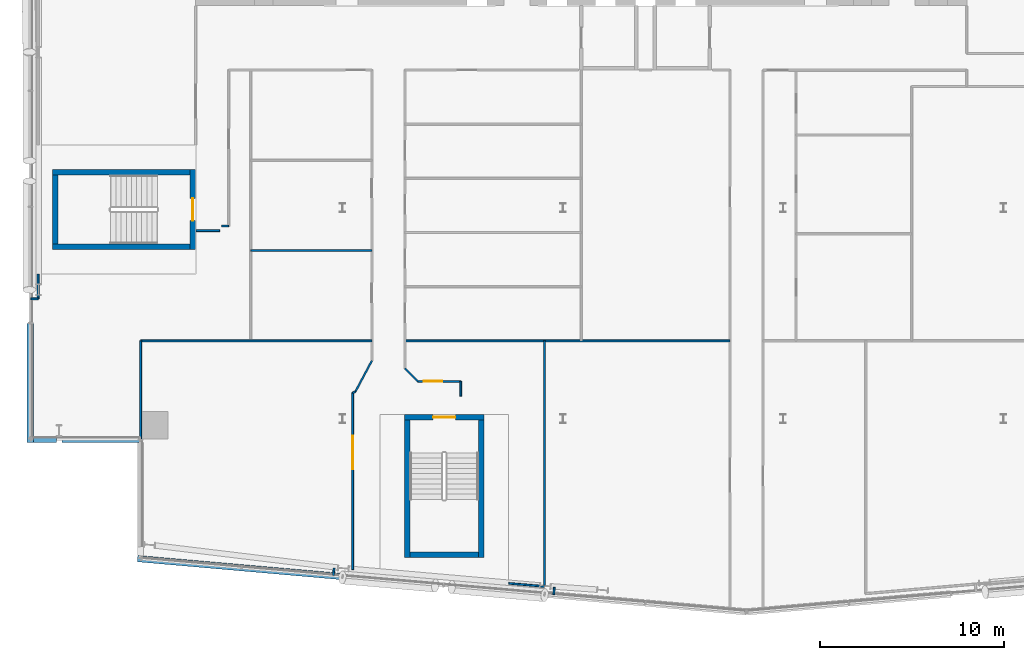
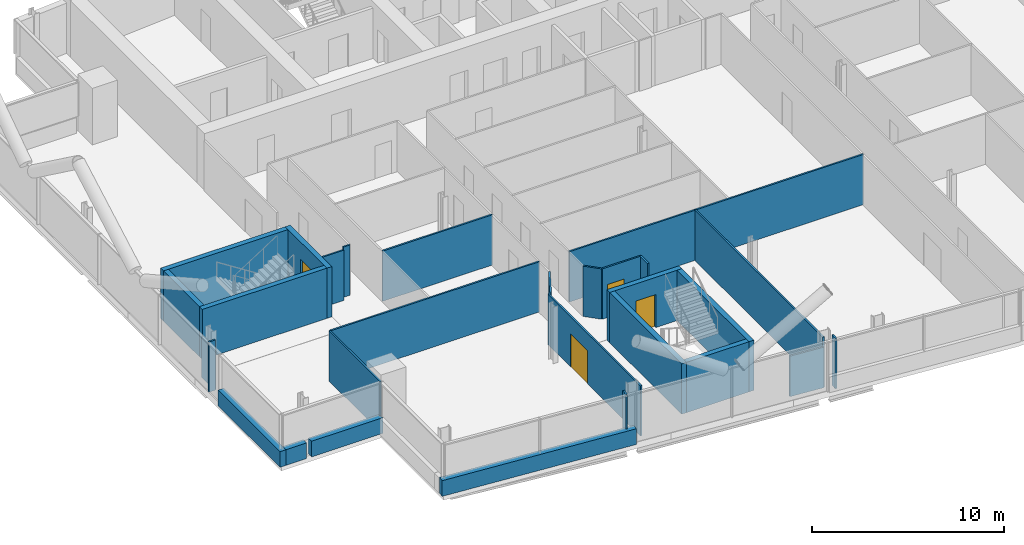
# One storey, part 14 of 26: 30 walls, 4 doors, 4 openings.
"""IFC4 building model written with IfcOpenShell, lengths in metres."""

import ifcopenshell
import ifcopenshell.guid

model = None  # the IFC model being written
_history = None  # IfcOwnerHistory: only IFC2X3 demands one
_inside = {}  # id of a spatial element -> (the spatial element, [elements in it])
_under = {}  # id of a project, library or spatial element -> (it, [spatial elements below it])
_declared = {}  # id of a project -> (the project, [libraries it declares])
_typed = {}  # id of a type object -> (the type object, [elements of that type])
_made_of = {}  # id of a material, layer set ... -> (it, [elements and type objects made of it])


def new_model(schema):
    """Start an empty IFC model of exactly this schema.

    Asked for "IFC4X3", IfcOpenShell would pick the latest addendum, in which some entities
    have other attributes; the version numbers below select the first issue.
    IFC2X3 requires an IfcOwnerHistory on every rooted entity: one is made here for all.
    """
    global model, _history
    if schema == "IFC4X3":
        model = ifcopenshell.file(schema_version=(4, 3, 0, 0))
    else:
        model = ifcopenshell.file(schema=schema)
    _inside.clear()
    _under.clear()
    _declared.clear()
    _typed.clear()
    _made_of.clear()
    _history = None
    if model.schema == "IFC2X3":
        org = make("IfcOrganization", Name="unknown")
        user = make(
            "IfcPersonAndOrganization",
            ThePerson=make("IfcPerson", FamilyName="unknown"),
            TheOrganization=org,
        )
        app = make(
            "IfcApplication",
            ApplicationDeveloper=org,
            Version="unknown",
            ApplicationFullName="unknown",
            ApplicationIdentifier="unknown",
        )
        _history = make(
            "IfcOwnerHistory",
            OwningUser=user,
            OwningApplication=app,
            ChangeAction="ADDED",
            CreationDate=0,
        )
    return model


def make(cls, **values):
    """One entity of the class cls with the attributes given. An attribute that is None is left unset."""
    return model.create_entity(
        cls, **{name: value for name, value in values.items() if value is not None}
    )


def rooted(cls, **values):
    """An entity with a GlobalId (a new one), such as an element, a storey or a relation."""
    return make(cls, GlobalId=ifcopenshell.guid.new(), OwnerHistory=_history, **values)


def si_unit(unit_type, name, prefix=None):
    """IfcSIUnit, for example si_unit("LENGTHUNIT", "METRE", prefix="MILLI")."""
    return make("IfcSIUnit", UnitType=unit_type, Prefix=prefix, Name=name)


def assignment(units):
    """IfcUnitAssignment: the units of a project."""
    return None if units is None else make("IfcUnitAssignment", Units=units)


def point(xyz):
    """IfcCartesianPoint."""
    return None if xyz is None else make("IfcCartesianPoint", Coordinates=xyz)


def direction(xyz):
    """IfcDirection."""
    return None if xyz is None else make("IfcDirection", DirectionRatios=xyz)


def frame(location, z_axis=None, x_axis=None):
    """IfcAxis2Placement3D, a coordinate frame: its origin and axes. An axis left out is left unset."""
    return make(
        "IfcAxis2Placement3D",
        Location=point(location),
        Axis=direction(z_axis),
        RefDirection=direction(x_axis),
    )


def frame_2d(location, x_axis=None):
    """IfcAxis2Placement2D, a coordinate frame in the plane: its origin and x axis."""
    return make(
        "IfcAxis2Placement2D", Location=point(location), RefDirection=direction(x_axis)
    )


def origin():
    """The frame at (0, 0, 0) with its axes left unset."""
    return frame((0.0, 0.0, 0.0))


def place(relative_to, where):
    """IfcLocalPlacement: puts the frame where relative to a parent placement (None: the world)."""
    return make(
        "IfcLocalPlacement", PlacementRelTo=relative_to, RelativePlacement=where
    )


def context(
    kind, dimensions, precision=None, world=None, true_north=None, identifier=None
):
    """IfcGeometricRepresentationContext, for example the 3D "Model" context."""
    return make(
        "IfcGeometricRepresentationContext",
        ContextIdentifier=identifier,
        ContextType=kind,
        CoordinateSpaceDimension=dimensions,
        Precision=precision,
        WorldCoordinateSystem=world,
        TrueNorth=true_north,
    )


def subcontext(parent, identifier, kind, view, scale=None):
    """IfcGeometricRepresentationSubContext, for example "Body" below "Model"."""
    return make(
        "IfcGeometricRepresentationSubContext",
        ContextIdentifier=identifier,
        ContextType=kind,
        ParentContext=parent,
        TargetScale=scale,
        TargetView=view,
    )


def project(units=None, contexts=None):
    """IfcProject with its units and contexts."""
    return rooted(
        "IfcProject",
        Name="project",
        RepresentationContexts=contexts,
        UnitsInContext=assignment(units),
    )


def spatial(cls, under=None, at=None, **own):
    """A site, building, storey or space (cls), placed at a placement, below another one or the project."""
    s = rooted(cls, ObjectPlacement=at, **own)
    if under is not None:
        _under.setdefault(under.id(), (under, []))[1].append(s)
    return s


def profile(cls, at=None, kind="AREA", **sizes):
    """A parametric profile (cls). Its sizes go by their IFC names, for example OverallWidth=200.0."""
    return make(cls, ProfileType=kind, Position=at, **sizes)


def rectangle(**sizes):
    """IfcRectangleProfileDef."""
    return profile("IfcRectangleProfileDef", **sizes)


def extrude(swept, where, along, depth):
    """IfcExtrudedAreaSolid: the profile swept, set in the frame where, extruded along a direction by depth."""
    return make(
        "IfcExtrudedAreaSolid",
        SweptArea=swept,
        Position=where,
        ExtrudedDirection=direction(along),
        Depth=depth,
    )


def shape(context_of_items, identifier, shape_type, items):
    """IfcShapeRepresentation: the items that make up one representation, for example the "Body"."""
    return make(
        "IfcShapeRepresentation",
        ContextOfItems=context_of_items,
        RepresentationIdentifier=identifier,
        RepresentationType=shape_type,
        Items=items,
    )


def material(Name=None, Category=None):
    """IfcMaterial."""
    return make("IfcMaterial", Name=Name, Category=Category)


def layer(
    of_material, thickness, ventilated=None, Name=None, Category=None, Priority=None
):
    """IfcMaterialLayer: one layer of a wall or slab, of a material (None: an air gap)."""
    return make(
        "IfcMaterialLayer",
        Material=of_material,
        LayerThickness=thickness,
        IsVentilated=ventilated,
        Name=Name,
        Category=Category,
        Priority=Priority,
    )


def layer_set(layers, Name=None):
    """IfcMaterialLayerSet."""
    return make("IfcMaterialLayerSet", MaterialLayers=layers, LayerSetName=Name)


def made_of(thing, what):
    """Note that an element or type object is made of a material, layer set ...; save() writes the relation."""
    if what is not None:
        _made_of.setdefault(what.id(), (what, []))[1].append(thing)
    return thing


def type_object(cls, material=None, **own):
    """A type object (cls), such as IfcWallType, which elements share."""
    return made_of(rooted(cls, **own), material)


def element(
    cls,
    number,
    at=None,
    inside=None,
    cuts=None,
    type_object=None,
    material=None,
    context=None,
    identifier="Body",
    shape_type=None,
    held_by="IfcProductDefinitionShape",
    body=None,
    shapes=None,
    **own,
):
    """One element of the class cls, such as IfcWall. Its Tag is "e" and its number.

    at: its placement. inside: the storey or other place that contains it. cuts: it is an
    opening in that element (IfcRelVoidsElement). A single representation is given by context,
    identifier, shape_type and body (its items); several are given by shapes. held_by: the class
    of the entity that holds the representations. save() writes the other relations.
    """
    e = rooted(cls, Tag="e%d" % number, ObjectPlacement=at, **own)
    if body is not None:
        shapes = [shape(context, identifier, shape_type, body)]
    if shapes is not None:
        e.Representation = make(held_by, Representations=shapes)
    if inside is not None:
        _inside.setdefault(inside.id(), (inside, []))[1].append(e)
    if cuts is not None:
        rooted(
            "IfcRelVoidsElement", RelatingBuildingElement=cuts, RelatedOpeningElement=e
        )
    if type_object is not None:
        _typed.setdefault(type_object.id(), (type_object, []))[1].append(e)
    return made_of(e, material)


def fill(opening, filler):
    """IfcRelFillsElement: the door or window that sits in an opening."""
    return rooted(
        "IfcRelFillsElement",
        RelatingOpeningElement=opening,
        RelatedBuildingElement=filler,
    )


def aggregate(whole, parts):
    """IfcRelAggregates: a whole, such as a stair, and the parts it consists of."""
    return rooted("IfcRelAggregates", RelatingObject=whole, RelatedObjects=parts)


def save(model, path):
    """Write the relations noted so far, then the file.

    IfcRelAggregates (storeys below a building ...), IfcRelContainedInSpatialStructure (elements
    in a storey), IfcRelDefinesByType, IfcRelAssociatesMaterial and IfcRelDeclares: one each for
    every whole, place, type object, material and project.
    """
    for whole, parts in _under.values():
        aggregate(whole, parts)
    for where, things in _inside.values():
        rooted(
            "IfcRelContainedInSpatialStructure",
            RelatedElements=things,
            RelatingStructure=where,
        )
    for kind, things in _typed.values():
        rooted("IfcRelDefinesByType", RelatedObjects=things, RelatingType=kind)
    for what, things in _made_of.values():
        rooted("IfcRelAssociatesMaterial", RelatedObjects=things, RelatingMaterial=what)
    for by, libraries in _declared.values():
        rooted("IfcRelDeclares", RelatingContext=by, RelatedDefinitions=libraries)
    model.write(path)


model = new_model("IFC4")

# Units and contexts
model_context = context("Model", 3, precision=1e-05, world=origin(), true_north=direction((0.0, 1.0)))
body_context = subcontext(model_context, "Body", "Model", "MODEL_VIEW")
ifc_project = project(units=[si_unit("LENGTHUNIT", "METRE"), si_unit("AREAUNIT", "SQUARE_METRE"), si_unit("VOLUMEUNIT", "CUBIC_METRE"), si_unit("PLANEANGLEUNIT", "RADIAN"), si_unit("MASSUNIT", "GRAM", prefix="KILO")], contexts=[model_context])

# Site, building, storey
site_placement = place(None, origin())
site = spatial("IfcSite", under=ifc_project, at=site_placement, CompositionType="ELEMENT")
building_placement = place(site_placement, origin())
building = spatial("IfcBuilding", under=site, at=building_placement, Name="Wharfspan Tower", CompositionType="ELEMENT")
storey_placement = place(building_placement, frame((0.0, 0.0, 166.300049)))
storey = spatial("IfcBuildingStorey", under=building, at=storey_placement, Name="L40", CompositionType="ELEMENT", Elevation=166.300049)

# Walls
ifc_material_1 = material(Name="Gypsum board on steel studs", Category="steel")
ifc_layer_1 = layer(ifc_material_1, 0.100098)
ifc_layer_set_1 = layer_set([ifc_layer_1], Name="Gypsum board on steel studs")
wall_type_1 = type_object("IfcWallType", Name="Compartment wall 100 EI 60", PredefinedType="PARTITIONING", material=ifc_layer_set_1)
wall_1_placement = place(storey_placement, frame((13.0, 15.745117, 0.0), z_axis=(0.0, 0.0, 1.0), x_axis=(1.0, 0.0, 0.0)))
element("IfcWall", 1, at=wall_1_placement, inside=storey, type_object=wall_type_1, Name="Partition L40.w005", PredefinedType="PARTITIONING", context=body_context, shape_type="SweptSolid", body=[
    extrude(rectangle(XDim=12.600098, YDim=0.100098, at=frame_2d((6.300049, 0.0))), origin(), (0.0, 0.0, 1.0), 3.199951),
])
wall_2_placement = place(storey_placement, frame((16.02002, 21.75, 0.0), z_axis=(0.0, 0.0, 1.0), x_axis=(1.0, 0.0, 0.0)))
element("IfcWall", 2, at=wall_2_placement, inside=storey, type_object=wall_type_1, Name="Partition L40.w007", PredefinedType="PARTITIONING", context=body_context, shape_type="SweptSolid", body=[
    extrude(rectangle(XDim=1.280029, YDim=0.100098, at=frame_2d((0.640137, 0.0))), origin(), (0.0, 0.0, 1.0), 3.199951),
])
wall_3_placement = place(storey_placement, frame((17.419922, 22.0, 0.0), z_axis=(0.0, 0.0, 1.0), x_axis=(1.0, 0.0, 0.0)))
element("IfcWall", 3, at=wall_3_placement, inside=storey, type_object=wall_type_1, Name="Partition L40.w008", PredefinedType="PARTITIONING", context=body_context, shape_type="SweptSolid", body=[
    extrude(rectangle(XDim=0.380127, YDim=0.100098, at=frame_2d((0.189941, 0.0))), origin(), (0.0, 0.0, 1.0), 3.199951),
])
wall_4_placement = place(storey_placement, frame((19.0, 20.665039, 0.0), z_axis=(0.0, 0.0, 1.0), x_axis=(1.0, 0.0, 0.0)))
element("IfcWall", 4, at=wall_4_placement, inside=storey, type_object=wall_type_1, Name="Partition L40.w012", PredefinedType="PARTITIONING", context=body_context, shape_type="SweptSolid", body=[
    extrude(rectangle(XDim=6.600098, YDim=0.100098, at=frame_2d((3.300049, 0.0))), origin(), (0.0, 0.0, 1.0), 3.199951),
])
wall_5_placement = place(storey_placement, frame((24.550049, 12.915039, 0.0), z_axis=(0.0, 0.0, 1.0), x_axis=(0.900306, 0.435266, 0.0)))
element("IfcWall", 5, at=wall_5_placement, inside=storey, type_object=wall_type_1, Name="Partition L40.w015", PredefinedType="PARTITIONING", context=body_context, shape_type="SweptSolid", body=[
    extrude(rectangle(XDim=0.172119, YDim=0.100098, at=frame_2d((0.085938, 0.0))), origin(), (0.0, 0.0, 1.0), 3.199951),
])

# Wall, opening, door
wall_6_placement = place(storey_placement, frame((24.550049, 3.284912, 0.0), z_axis=(0.0, 0.0, 1.0), x_axis=(0.0, 1.0, 0.0)))
wall_6 = element("IfcWall", 6, at=wall_6_placement, inside=storey, type_object=wall_type_1, Name="Partition L40.w016", PredefinedType="PARTITIONING", context=body_context, shape_type="SweptSolid", body=[
    extrude(rectangle(XDim=9.630127, YDim=0.100098, at=frame_2d((4.814941, 0.0))), origin(), (0.0, 0.0, 1.0), 3.199951),
])
opening_1_placement = place(wall_6_placement, frame((5.480713, 0.0, 0.0)))
opening_1 = element("IfcOpeningElement", 7, at=opening_1_placement, cuts=wall_6, Name="Opening C3-03", PredefinedType="OPENING", context=body_context, shape_type="SweptSolid", body=[
    extrude(rectangle(XDim=1.800049, YDim=2.100098, at=frame_2d((0.899902, 1.050049))), frame((0.0, 0.060059, 0.0), z_axis=(0.0, -1.0, 0.0), x_axis=(1.0, 0.0, 0.0)), (0.0, 0.0, 1.0), 0.120117),
])
ifc_material_2 = material(Name="Fire-rated timber door leaf in steel frame", Category="steel")
door_type_1 = type_object("IfcDoorType", Name="Door 1800 FD30S Double", OperationType="DOUBLE_DOOR_SINGLE_SWING", PredefinedType="DOOR", material=ifc_material_2)
door_1_placement = place(opening_1_placement, origin())
door_1 = element("IfcDoor", 8, at=door_1_placement, inside=storey, type_object=door_type_1, Name="Door C3-03", OperationType="DOUBLE_DOOR_SINGLE_SWING", OverallHeight=2.100098, OverallWidth=1.800049, PredefinedType="DOOR", context=body_context, shape_type="SweptSolid", body=[
    extrude(rectangle(XDim=1.800049, YDim=2.100098, at=frame_2d((0.899902, 1.050049))), frame((0.0, 0.024902, 0.0), z_axis=(0.0, -1.0, 0.0), x_axis=(1.0, 0.0, 0.0)), (0.0, 0.0, 1.0), 0.050049),
])
fill(opening_1, door_1)

# Walls
wall_7_placement = place(storey_placement, frame((24.705078, 12.98999, 0.0), z_axis=(0.0, 0.0, 1.0), x_axis=(0.4702, 0.882555, 0.0)))
element("IfcWall", 9, at=wall_7_placement, inside=storey, type_object=wall_type_1, Name="Partition L40.w017", PredefinedType="PARTITIONING", context=body_context, shape_type="SweptSolid", body=[
    extrude(rectangle(XDim=1.903564, YDim=0.100098, at=frame_2d((0.95166, 0.0))), origin(), (0.0, 0.0, 1.0), 3.199951),
])
wall_8_placement = place(storey_placement, frame((27.399902, 15.745117, 0.0), z_axis=(0.0, 0.0, 1.0), x_axis=(1.0, 0.0, 0.0)))
element("IfcWall", 10, at=wall_8_placement, inside=storey, type_object=wall_type_1, Name="Partition L40.w020", PredefinedType="PARTITIONING", context=body_context, shape_type="SweptSolid", body=[
    extrude(rectangle(XDim=17.700195, YDim=0.100098, at=frame_2d((8.850098, 0.0))), origin(), (0.0, 0.0, 1.0), 3.199951),
])
wall_9_placement = place(storey_placement, frame((28.10498, 13.534912, 0.0), z_axis=(0.0, 0.0, 1.0), x_axis=(-0.707107, 0.707107, 0.0)))
element("IfcWall", 11, at=wall_9_placement, inside=storey, type_object=wall_type_1, Name="Partition L40.w026", PredefinedType="PARTITIONING", context=body_context, shape_type="SweptSolid", body=[
    extrude(rectangle(XDim=0.99707, YDim=0.100098, at=frame_2d((0.498535, 0.0))), origin(), (0.0, 0.0, 1.0), 3.199951),
])

# Wall, opening, door
wall_10_placement = place(storey_placement, frame((28.10498, 13.534912, 0.0), z_axis=(0.0, 0.0, 1.0), x_axis=(1.0, 0.0, 0.0)))
wall_10 = element("IfcWall", 12, at=wall_10_placement, inside=storey, type_object=wall_type_1, Name="Partition L40.w027", PredefinedType="PARTITIONING", context=body_context, shape_type="SweptSolid", body=[
    extrude(rectangle(XDim=2.334961, YDim=0.100098, at=frame_2d((1.16748, 0.0))), origin(), (0.0, 0.0, 1.0), 3.199951),
])
opening_2_placement = place(wall_10_placement, frame((0.314941, 0.0, 0.0)))
opening_2 = element("IfcOpeningElement", 13, at=opening_2_placement, cuts=wall_10, Name="Opening C3-04", PredefinedType="OPENING", context=body_context, shape_type="SweptSolid", body=[
    extrude(rectangle(XDim=1.0, YDim=2.100098, at=frame_2d((0.5, 1.050049))), frame((0.0, 0.060059, 0.0), z_axis=(0.0, -1.0, 0.0), x_axis=(1.0, 0.0, 0.0)), (0.0, 0.0, 1.0), 0.120117),
])
door_type_2 = type_object("IfcDoorType", Name="Door 1000 FD30S Left", OperationType="SINGLE_SWING_LEFT", PredefinedType="DOOR", material=ifc_material_2)
door_2_placement = place(opening_2_placement, origin())
door_2 = element("IfcDoor", 14, at=door_2_placement, inside=storey, type_object=door_type_2, Name="Door C3-04", OperationType="SINGLE_SWING_LEFT", OverallHeight=2.100098, OverallWidth=1.0, PredefinedType="DOOR", context=body_context, shape_type="SweptSolid", body=[
    extrude(rectangle(XDim=1.0, YDim=2.100098, at=frame_2d((0.5, 1.050049))), frame((0.0, 0.024902, 0.0), z_axis=(0.0, -1.0, 0.0), x_axis=(1.0, 0.0, 0.0)), (0.0, 0.0, 1.0), 0.050049),
])
fill(opening_2, door_2)

# Walls
wall_11_placement = place(storey_placement, frame((30.439941, 12.734375, 0.0), z_axis=(0.0, 0.0, 1.0), x_axis=(0.0, 1.0, 0.0)))
element("IfcWall", 15, at=wall_11_placement, inside=storey, type_object=wall_type_1, Name="Partition L40.w028", PredefinedType="PARTITIONING", context=body_context, shape_type="SweptSolid", body=[
    extrude(rectangle(XDim=0.800537, YDim=0.100098, at=frame_2d((0.400391, 0.0))), origin(), (0.0, 0.0, 1.0), 3.199951),
])
ifc_layer_2 = layer(ifc_material_1, 0.100098)
ifc_layer_set_2 = layer_set([ifc_layer_2], Name="Gypsum board on steel studs")
wall_type_2 = type_object("IfcWallType", Name="Partition 100", PredefinedType="PARTITIONING", material=ifc_layer_set_2)
wall_12_placement = place(storey_placement, frame((7.02002, 18.034912, 0.0), z_axis=(0.0, 0.0, 1.0), x_axis=(1.0, 0.0, 0.0)))
element("IfcWall", 16, at=wall_12_placement, inside=storey, type_object=wall_type_2, Name="Partition L40.w001", PredefinedType="PARTITIONING", context=body_context, shape_type="SweptSolid", body=[
    extrude(rectangle(XDim=0.399902, YDim=0.100098, at=frame_2d((0.199951, 0.0))), origin(), (0.0, 0.0, 1.0), 3.199951),
])
wall_13_placement = place(storey_placement, frame((7.419922, 18.034912, 0.0), z_axis=(0.0, 0.0, 1.0), x_axis=(0.0, 1.0, 0.0)))
element("IfcWall", 17, at=wall_13_placement, inside=storey, type_object=wall_type_2, Name="Partition L40.w002", PredefinedType="PARTITIONING", context=body_context, shape_type="SweptSolid", body=[
    extrude(rectangle(XDim=1.344971, YDim=0.100098, at=frame_2d((0.672363, 0.0))), origin(), (0.0, 0.0, 1.0), 2.579834),
])
wall_14_placement = place(storey_placement, frame((13.0, 10.419922, 0.0), z_axis=(0.0, 0.0, 1.0), x_axis=(0.0, 1.0, 0.0)))
element("IfcWall", 18, at=wall_14_placement, inside=storey, type_object=wall_type_2, Name="Partition L40.w004", PredefinedType="PARTITIONING", context=body_context, shape_type="SweptSolid", body=[
    extrude(rectangle(XDim=5.325195, YDim=0.100098, at=frame_2d((2.662598, 0.0))), origin(), (0.0, 0.0, 1.0), 3.199951),
])
wall_15_placement = place(storey_placement, frame((23.502197, 2.976318, 0.0), z_axis=(0.0, 0.0, 1.0), x_axis=(0.095654, 0.995419, 0.0)))
element("IfcWall", 19, at=wall_15_placement, inside=storey, type_object=wall_type_2, Name="Partition L40.w014", PredefinedType="PARTITIONING", context=body_context, shape_type="SweptSolid", body=[
    extrude(rectangle(XDim=0.395508, YDim=0.100098, at=frame_2d((0.197754, 0.0))), origin(), (0.0, 0.0, 1.0), 3.199951),
])
wall_16_placement = place(storey_placement, frame((35.0, 2.370117, 0.0), z_axis=(0.0, 0.0, 1.0), x_axis=(-0.996265, 0.086343, 0.0)))
element("IfcWall", 20, at=wall_16_placement, inside=storey, type_object=wall_type_2, Name="Partition L40.w029", PredefinedType="PARTITIONING", context=body_context, shape_type="SweptSolid", body=[
    extrude(rectangle(XDim=1.948242, YDim=0.100098, at=frame_2d((0.974121, 0.0))), origin(), (0.0, 0.0, 1.0), 2.579834),
])
wall_17_placement = place(storey_placement, frame((35.0, 2.370117, 0.0), z_axis=(0.0, 0.0, 1.0), x_axis=(0.0, 1.0, 0.0)))
element("IfcWall", 21, at=wall_17_placement, inside=storey, type_object=wall_type_2, Name="Partition L40.w030", PredefinedType="PARTITIONING", context=body_context, shape_type="SweptSolid", body=[
    extrude(rectangle(XDim=13.375, YDim=0.100098, at=frame_2d((6.6875, 0.0))), origin(), (0.0, 0.0, 1.0), 3.199951),
])
wall_18_placement = place(storey_placement, frame((35.501709, 1.926514, 0.0), z_axis=(0.0, 0.0, 1.0), x_axis=(0.083045, 0.996542, 0.0)))
element("IfcWall", 22, at=wall_18_placement, inside=storey, type_object=wall_type_2, Name="Partition L40.w031", PredefinedType="PARTITIONING", context=body_context, shape_type="SweptSolid", body=[
    extrude(rectangle(XDim=0.399902, YDim=0.100098, at=frame_2d((0.199951, 0.0))), origin(), (0.0, 0.0, 1.0), 3.199951),
])
ifc_material_3 = material(Name="Concrete C40/50", Category="concrete")
ifc_layer_3 = layer(ifc_material_3, 0.350098)
ifc_layer_set_3 = layer_set([ifc_layer_3], Name="Concrete C40/50")
wall_type_3 = type_object("IfcWallType", Name="SPANDREL EXPOSED CONCRETE 350", PredefinedType="SOLIDWALL", material=ifc_layer_set_3)
wall_19_placement = place(storey_placement, frame((12.835205, 3.884521, 0.0), z_axis=(0.0, 0.0, 1.0), x_axis=(0.996199, -0.087154, 0.0)))
element("IfcWall", 23, at=wall_19_placement, inside=storey, type_object=wall_type_3, Name="Spandrel upstand L40 S1 1", PredefinedType="SOLIDWALL", context=body_context, shape_type="SweptSolid", body=[
    extrude(rectangle(XDim=11.177002, YDim=0.350098, at=frame_2d((5.588379, 0.0))), origin(), (0.0, 0.0, 1.0), 1.0),
])
wall_20_placement = place(storey_placement, frame((6.995117, 16.689941, 0.0), z_axis=(0.0, 0.0, 1.0), x_axis=(0.0, -1.0, 0.0)))
element("IfcWall", 24, at=wall_20_placement, inside=storey, type_object=wall_type_3, Name="Spandrel upstand L40 W", PredefinedType="SOLIDWALL", context=body_context, shape_type="SweptSolid", body=[
    extrude(rectangle(XDim=6.469971, YDim=0.350098, at=frame_2d((3.234863, 0.0))), origin(), (0.0, 0.0, 1.0), 1.0),
])
wall_21_placement = place(storey_placement, frame((7.169922, 10.39502, 0.0), z_axis=(0.0, 0.0, 1.0), x_axis=(1.0, 0.0, 0.0)))
element("IfcWall", 25, at=wall_21_placement, inside=storey, type_object=wall_type_3, Name="Spandrel upstand L40 NFW-H", PredefinedType="SOLIDWALL", context=body_context, shape_type="SweptSolid", body=[
    extrude(rectangle(XDim=1.238281, YDim=0.350098, at=frame_2d((0.619141, 0.0))), origin(), (0.0, 0.0, 1.0), 1.0),
])
wall_22_placement = place(storey_placement, frame((8.713379, 10.39502, 0.0), z_axis=(0.0, 0.0, 1.0), x_axis=(1.0, 0.0, 0.0)))
element("IfcWall", 26, at=wall_22_placement, inside=storey, type_object=wall_type_3, Name="Spandrel upstand L40 NFW-H 2", PredefinedType="SOLIDWALL", context=body_context, shape_type="SweptSolid", body=[
    extrude(rectangle(XDim=4.286621, YDim=0.350098, at=frame_2d((2.143311, 0.0))), origin(), (0.0, 0.0, 1.0), 1.0),
])

# Wall, opening, door
ifc_layer_4 = layer(ifc_material_3, 0.300049)
ifc_layer_set_4 = layer_set([ifc_layer_4], Name="Concrete C40/50")
wall_type_4 = type_object("IfcWallType", Name="Stair core wall 300", PredefinedType="SHEAR", material=ifc_layer_set_4)
wall_23_placement = place(storey_placement, frame((15.850098, 20.725098, 0.0), z_axis=(0.0, 0.0, 1.0), x_axis=(0.0, 1.0, 0.0)))
wall_23 = element("IfcWall", 27, at=wall_23_placement, inside=storey, type_object=wall_type_4, Name="ST3 stair enclosure wall L40", PredefinedType="SHEAR", context=body_context, shape_type="SweptSolid", body=[
    extrude(rectangle(XDim=4.349854, YDim=0.300049, at=frame_2d((2.174805, 0.0))), origin(), (0.0, 0.0, 1.0), 3.199951),
])
opening_3_placement = place(wall_23_placement, frame((1.574951, 0.0, 0.0)))
opening_3 = element("IfcOpeningElement", 28, at=opening_3_placement, cuts=wall_23, Name="Opening SD3.L40", PredefinedType="OPENING", context=body_context, shape_type="SweptSolid", body=[
    extrude(rectangle(XDim=1.199951, YDim=2.100098, at=frame_2d((0.600098, 1.050049))), frame((0.0, 0.159912, 0.0), z_axis=(0.0, -1.0, 0.0), x_axis=(1.0, 0.0, 0.0)), (0.0, 0.0, 1.0), 0.320068),
])
ifc_material_4 = material(Name="Steel door leaf", Category="steel")
door_type_3 = type_object("IfcDoorType", Name="Stair door 1200x2100", OperationType="SINGLE_SWING_LEFT", PredefinedType="DOOR", material=ifc_material_4)
door_3_placement = place(opening_3_placement, origin())
door_3 = element("IfcDoor", 29, at=door_3_placement, inside=storey, type_object=door_type_3, Name="sd:L40:ST3z3", OperationType="SINGLE_SWING_RIGHT", OverallHeight=2.100098, OverallWidth=1.199951, PredefinedType="DOOR", context=body_context, shape_type="SweptSolid", body=[
    extrude(rectangle(XDim=1.199951, YDim=2.100098, at=frame_2d((0.600098, 1.050049))), frame((0.0, 0.024902, 0.0), z_axis=(0.0, -1.0, 0.0), x_axis=(1.0, 0.0, 0.0)), (0.0, 0.0, 1.0), 0.050049),
])
fill(opening_3, door_3)

wall_24_placement = place(storey_placement, frame((27.364258, 11.584229, 0.0), z_axis=(0.0, 0.0, 1.0), x_axis=(1.0, 0.0, 0.0)))
wall_24 = element("IfcWall", 30, at=wall_24_placement, inside=storey, type_object=wall_type_4, Name="ST4 stair enclosure wall L40", PredefinedType="SHEAR", context=body_context, shape_type="SweptSolid", body=[
    extrude(rectangle(XDim=4.349854, YDim=0.300049, at=frame_2d((2.174805, 0.0))), origin(), (0.0, 0.0, 1.0), 3.199951),
])
opening_4_placement = place(wall_24_placement, frame((1.574951, 0.0, 0.0)))
opening_4 = element("IfcOpeningElement", 31, at=opening_4_placement, cuts=wall_24, Name="Opening SD4.L40", PredefinedType="OPENING", context=body_context, shape_type="SweptSolid", body=[
    extrude(rectangle(XDim=1.199951, YDim=2.100098, at=frame_2d((0.600098, 1.050049))), frame((0.0, 0.159912, 0.0), z_axis=(0.0, -1.0, 0.0), x_axis=(1.0, 0.0, 0.0)), (0.0, 0.0, 1.0), 0.320068),
])
door_4_placement = place(opening_4_placement, origin())
door_4 = element("IfcDoor", 32, at=door_4_placement, inside=storey, type_object=door_type_3, Name="sd:L40:ST4z3", OperationType="SINGLE_SWING_RIGHT", OverallHeight=2.100098, OverallWidth=1.199951, PredefinedType="DOOR", context=body_context, shape_type="SweptSolid", body=[
    extrude(rectangle(XDim=1.199951, YDim=2.100098, at=frame_2d((0.600098, 1.050049))), frame((0.0, 0.024902, 0.0), z_axis=(0.0, -1.0, 0.0), x_axis=(1.0, 0.0, 0.0)), (0.0, 0.0, 1.0), 0.050049),
])
fill(opening_4, door_4)

# Walls
for number, where, z_axis, x_axis, name in (
    (33, (8.199951, 20.875, 0.0), (0.0, 0.0, 1.0), (1.0, 0.0, 0.0), "ST3 stair enclosure wall L40"),
    (34, (8.199951, 24.925049, 0.0), (0.0, 0.0, 1.0), (1.0, 0.0, 0.0), "ST3 stair enclosure wall L40"),
):
    element("IfcWall", number, at=place(storey_placement, frame(where, z_axis=z_axis, x_axis=x_axis)), inside=storey, type_object=wall_type_4, Name=name, PredefinedType="SHEAR", context=body_context, shape_type="SweptSolid", body=[
        extrude(rectangle(XDim=7.5, YDim=0.300049, at=frame_2d((3.75, 0.0))), origin(), (0.0, 0.0, 1.0), 3.199951),
    ])
wall_25_placement = place(storey_placement, frame((8.350098, 21.024902, 0.0), z_axis=(0.0, 0.0, 1.0), x_axis=(0.0, 1.0, 0.0)))
element("IfcWall", 35, at=wall_25_placement, inside=storey, type_object=wall_type_4, Name="ST3 stair enclosure wall L40", PredefinedType="SHEAR", context=body_context, shape_type="SweptSolid", body=[
    extrude(rectangle(XDim=3.75, YDim=0.300049, at=frame_2d((1.875, 0.0))), origin(), (0.0, 0.0, 1.0), 3.199951),
])
for number, where, z_axis, x_axis, name in (
    (36, (27.51416, 3.934326, 0.0), (0.0, 0.0, 1.0), (0.0, 1.0, 0.0), "ST4 stair enclosure wall L40"),
    (37, (31.564209, 3.934326, 0.0), (0.0, 0.0, 1.0), (0.0, 1.0, 0.0), "ST4 stair enclosure wall L40"),
):
    element("IfcWall", number, at=place(storey_placement, frame(where, z_axis=z_axis, x_axis=x_axis)), inside=storey, type_object=wall_type_4, Name=name, PredefinedType="SHEAR", context=body_context, shape_type="SweptSolid", body=[
        extrude(rectangle(XDim=7.5, YDim=0.300049, at=frame_2d((3.75, 0.0))), origin(), (0.0, 0.0, 1.0), 3.199951),
    ])
wall_26_placement = place(storey_placement, frame((27.664307, 4.084229, 0.0), z_axis=(0.0, 0.0, 1.0), x_axis=(1.0, 0.0, 0.0)))
element("IfcWall", 38, at=wall_26_placement, inside=storey, type_object=wall_type_4, Name="ST4 stair enclosure wall L40", PredefinedType="SHEAR", context=body_context, shape_type="SweptSolid", body=[
    extrude(rectangle(XDim=3.75, YDim=0.300049, at=frame_2d((1.875, 0.0))), origin(), (0.0, 0.0, 1.0), 3.199951),
])

save(model, "model.ifc")
